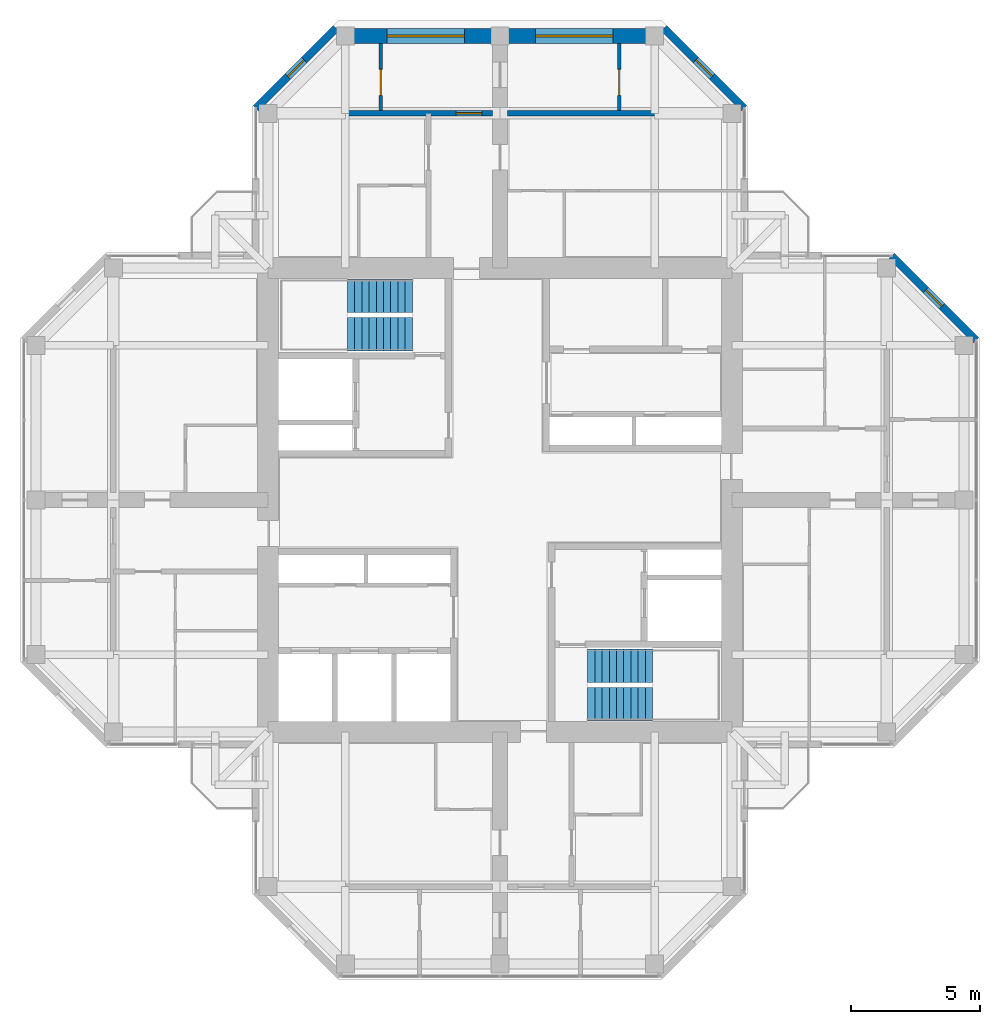
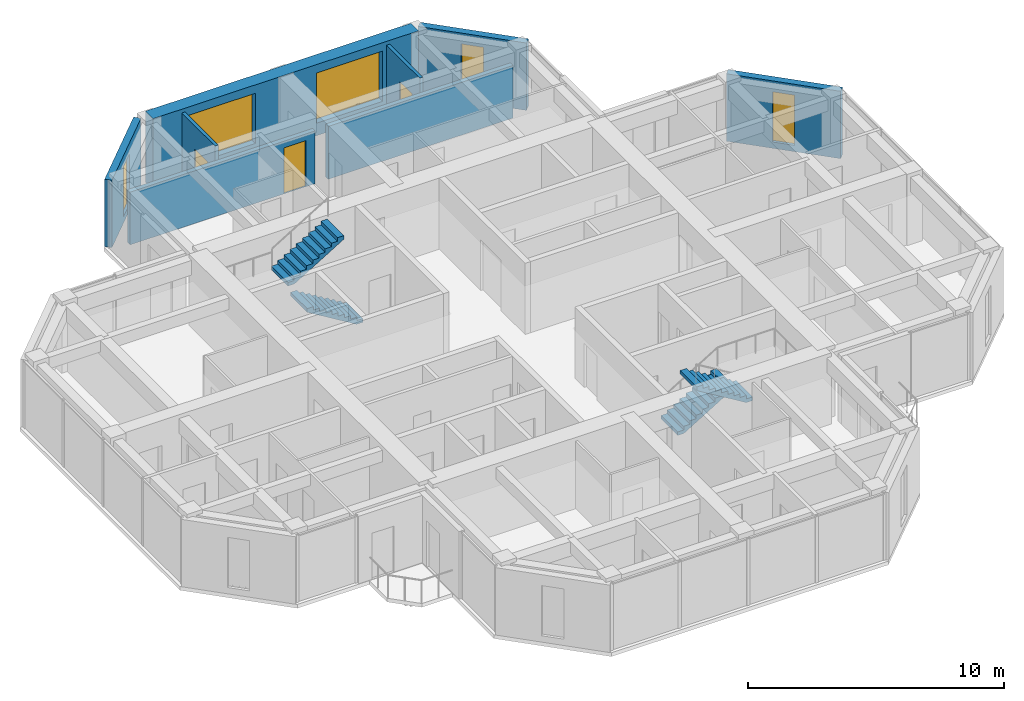
# One storey, part 12 of 13: 8 walls, 5 windows, 4 stair flights, 3 doors, 8 openings, 2 elements without a shape of their own.
"""IFC4 building model written with IfcOpenShell, lengths in metres."""

from ifc_helpers import new_model, si_unit, direction, frame, frame_2d, origin, place, context, subcontext, project, spatial, polyline, rectangle, hollow_rectangle, outline, extrude, material, layer, layer_set, constituent, constituent_set, type_object, element, fill, aggregate, save


model = new_model("IFC4")

# Units and contexts
model_context = context("Model", 3, precision=1e-05, world=origin(), true_north=direction((0.0, 1.0)))
body_context = subcontext(model_context, "Body", "Model", "MODEL_VIEW")
ifc_project = project(units=[si_unit("LENGTHUNIT", "METRE"), si_unit("AREAUNIT", "SQUARE_METRE"), si_unit("VOLUMEUNIT", "CUBIC_METRE"), si_unit("PLANEANGLEUNIT", "RADIAN"), si_unit("MASSUNIT", "GRAM", prefix="KILO")], contexts=[model_context])

# Site, building, storey
site_placement = place(None, origin())
site = spatial("IfcSite", under=ifc_project, at=site_placement, CompositionType="ELEMENT")
building_placement = place(site_placement, origin())
building = spatial("IfcBuilding", under=site, at=building_placement, Name="Torre Cruceta", CompositionType="ELEMENT")
storey_placement = place(building_placement, frame((0.0, 0.0, 278.10009765625)))
storey = spatial("IfcBuildingStorey", under=building, at=storey_placement, Name="L72", CompositionType="ELEMENT", Elevation=278.10009765625)

# Wall, opening, window
ifc_material_1 = material(Name="Concrete G30 (fck 30 MPa)", Category="concrete")
ifc_layer_1 = layer(ifc_material_1, 0.300048828125)
ifc_layer_set_1 = layer_set([ifc_layer_1], Name="Concrete G30 (fck 30 MPa)")
wall_type_1 = type_object("IfcWallType", Name="EXPOSED CONCRETE FACADE WALL 300", PredefinedType="SOLIDWALL", material=ifc_layer_set_1)
wall_1_placement = place(storey_placement, frame((18.469970703125, 6.194580078125, 0.0), z_axis=(0.0, 0.0, 1.0), x_axis=(-0.707106781187, 0.707106781187, 0.0)))
wall_1 = element("IfcWall", 1, at=wall_1_placement, inside=storey, type_object=wall_type_1, Name="EW1 facade wall L72 E chamfer 03", PredefinedType="SOLIDWALL", context=body_context, shape_type="SweptSolid", body=[
    extrude(rectangle(XDim=4.632080078125, YDim=0.300048828125, at=frame_2d((2.31591796875, 0.0))), origin(), (0.0, 0.0, 1.0), 3.219970703125),
])
opening_1_placement = place(wall_1_placement, frame((1.865966796875, 0.0, 0.300048828125)))
opening_1 = element("IfcOpeningElement", 2, at=opening_1_placement, cuts=wall_1, Name="Opening WN5", PredefinedType="OPENING", context=body_context, shape_type="SweptSolid", body=[
    extrude(rectangle(XDim=0.89990234375, YDim=2.39990234375, at=frame_2d((0.449951171875, 1.199951171875))), frame((0.0, 0.159912109375, 0.0), z_axis=(0.0, -1.0, 0.0), x_axis=(1.0, 0.0, 0.0)), (0.0, 0.0, 1.0), 0.320068359375),
])
ifc_material_2 = material(Name="Aluminium window frame", Category="aluminium")
ifc_constituent_1 = constituent(ifc_material_2, Name="Frame")
ifc_material_3 = material(Name="Laminated insulating glass unit, low-iron clear", Category="glass")
ifc_constituent_2 = constituent(ifc_material_3, Name="Glazing")
ifc_constituent_set_1 = constituent_set(constituents=[ifc_constituent_1, ifc_constituent_2], Name="Aluminium window")
window_type_1 = type_object("IfcWindowType", Name="CHAMFER SLOT WINDOW 900X2400", PartitioningType="SINGLE_PANEL", PredefinedType="WINDOW", material=ifc_constituent_set_1)
window_1_placement = place(opening_1_placement, origin())
window_1 = element("IfcWindow", 3, at=window_1_placement, inside=storey, type_object=window_type_1, Name="WN5 L72 E 1", OverallHeight=2.39990234375, OverallWidth=0.89990234375, PartitioningType="SINGLE_PANEL", PredefinedType="WINDOW", context=body_context, shape_type="SweptSolid", body=[
    extrude(hollow_rectangle(XDim=0.89990234375, YDim=2.39990234375, WallThickness=0.06005859375, at=frame_2d((0.449951171875, 1.199951171875))), frame((0.0, 0.030029296875, 0.0), z_axis=(0.0, -1.0, 0.0), x_axis=(1.0, 0.0, 0.0)), (0.0, 0.0, 1.0), 0.06005859375),
    extrude(rectangle(XDim=0.77880859375, YDim=2.27880859375, at=frame_2d((0.449951171875, 1.199951171875))), frame((0.0, 0.030029296875, 0.0), z_axis=(0.0, -1.0, 0.0), x_axis=(1.0, 0.0, 0.0)), (0.0, 0.0, 1.0), 0.06005859375),
])
fill(opening_1, window_1)

wall_2_placement = place(storey_placement, frame((9.469970703125, 15.194580078125, 0.0), z_axis=(0.0, 0.0, 1.0), x_axis=(-0.70707898447, 0.707134576811, 0.0)))
wall_2 = element("IfcWall", 4, at=wall_2_placement, inside=storey, type_object=wall_type_1, Name="EW1 facade wall L72 N chamfer 06", PredefinedType="SOLIDWALL", context=body_context, shape_type="SweptSolid", body=[
    extrude(rectangle(XDim=4.3916015625, YDim=0.300048828125, at=frame_2d((2.19580078125, 0.0))), origin(), (0.0, 0.0, 1.0), 3.219970703125),
])
opening_2_placement = place(wall_2_placement, frame((1.745849609375, 0.0, 0.300048828125)))
opening_2 = element("IfcOpeningElement", 5, at=opening_2_placement, cuts=wall_2, Name="Opening WN5", PredefinedType="OPENING", context=body_context, shape_type="SweptSolid", body=[
    extrude(rectangle(XDim=0.89990234375, YDim=2.39990234375, at=frame_2d((0.449951171875, 1.199951171875))), frame((0.0, 0.159912109375, 0.0), z_axis=(0.0, -1.0, 0.0), x_axis=(1.0, 0.0, 0.0)), (0.0, 0.0, 1.0), 0.320068359375),
])
window_2_placement = place(opening_2_placement, origin())
window_2 = element("IfcWindow", 6, at=window_2_placement, inside=storey, type_object=window_type_1, Name="WN5 L72 N 1", OverallHeight=2.39990234375, OverallWidth=0.89990234375, PartitioningType="SINGLE_PANEL", PredefinedType="WINDOW", context=body_context, shape_type="SweptSolid", body=[
    extrude(hollow_rectangle(XDim=0.89990234375, YDim=2.39990234375, WallThickness=0.06005859375, at=frame_2d((0.449951171875, 1.199951171875))), frame((0.0, 0.030029296875, 0.0), z_axis=(0.0, -1.0, 0.0), x_axis=(1.0, 0.0, 0.0)), (0.0, 0.0, 1.0), 0.06005859375),
    extrude(rectangle(XDim=0.77880859375, YDim=2.27880859375, at=frame_2d((0.449951171875, 1.199951171875))), frame((0.0, 0.030029296875, 0.0), z_axis=(0.0, -1.0, 0.0), x_axis=(1.0, 0.0, 0.0)), (0.0, 0.0, 1.0), 0.06005859375),
])
fill(opening_2, window_2)

wall_3_placement = place(storey_placement, frame((-6.36474609375, 18.300048828125, 0.0), z_axis=(0.0, 0.0, 1.0), x_axis=(-0.70707898447, -0.707134576811, 0.0)))
wall_3 = element("IfcWall", 7, at=wall_3_placement, inside=storey, type_object=wall_type_1, Name="EW1 facade wall L72 N chamfer 08", PredefinedType="SOLIDWALL", context=body_context, shape_type="SweptSolid", body=[
    extrude(rectangle(XDim=4.3916015625, YDim=0.300048828125, at=frame_2d((2.19580078125, 0.0))), origin(), (0.0, 0.0, 1.0), 3.219970703125),
])
opening_3_placement = place(wall_3_placement, frame((1.745849609375, 0.0, 0.300048828125)))
opening_3 = element("IfcOpeningElement", 8, at=opening_3_placement, cuts=wall_3, Name="Opening WN5", PredefinedType="OPENING", context=body_context, shape_type="SweptSolid", body=[
    extrude(rectangle(XDim=0.89990234375, YDim=2.39990234375, at=frame_2d((0.449951171875, 1.199951171875))), frame((0.0, 0.159912109375, 0.0), z_axis=(0.0, -1.0, 0.0), x_axis=(1.0, 0.0, 0.0)), (0.0, 0.0, 1.0), 0.320068359375),
])
window_3_placement = place(opening_3_placement, origin())
window_3 = element("IfcWindow", 9, at=window_3_placement, inside=storey, type_object=window_type_1, Name="WN5 L72 N 1", OverallHeight=2.39990234375, OverallWidth=0.89990234375, PartitioningType="SINGLE_PANEL", PredefinedType="WINDOW", context=body_context, shape_type="SweptSolid", body=[
    extrude(hollow_rectangle(XDim=0.89990234375, YDim=2.39990234375, WallThickness=0.06005859375, at=frame_2d((0.449951171875, 1.199951171875))), frame((0.0, 0.030029296875, 0.0), z_axis=(0.0, -1.0, 0.0), x_axis=(1.0, 0.0, 0.0)), (0.0, 0.0, 1.0), 0.06005859375),
    extrude(rectangle(XDim=0.77880859375, YDim=2.27880859375, at=frame_2d((0.449951171875, 1.199951171875))), frame((0.0, 0.030029296875, 0.0), z_axis=(0.0, -1.0, 0.0), x_axis=(1.0, 0.0, 0.0)), (0.0, 0.0, 1.0), 0.06005859375),
])
fill(opening_3, window_3)

# Wall, openings, windows
ifc_material_4 = material(Name="Concrete G60 (fck 60 MPa)", Category="concrete")
ifc_layer_2 = layer(ifc_material_4, 0.60009765625)
ifc_layer_set_2 = layer_set([ifc_layer_2], Name="Concrete G60 (fck 60 MPa)")
wall_type_2 = type_object("IfcWallType", Name="NOSE WALL 600 G60", PredefinedType="SHEAR", material=ifc_layer_set_2)
wall_4_placement = place(storey_placement, frame((6.0, 18.0, 0.0), z_axis=(0.0, 0.0, 1.0), x_axis=(-1.0, 0.0, 0.0)))
wall_4 = element("IfcWall", 10, at=wall_4_placement, inside=storey, type_object=wall_type_2, Name="NW3 nose wall L72 N", PredefinedType="SHEAR", context=body_context, shape_type="SweptSolid", body=[
    extrude(rectangle(XDim=12.0, YDim=0.60009765625, at=frame_2d((6.0, 0.0))), origin(), (0.0, 0.0, 1.0), 3.39990234375),
])
opening_4_placement = place(wall_4_placement, frame((1.625, 0.0, 0.60009765625)))
opening_4 = element("IfcOpeningElement", 11, at=opening_4_placement, cuts=wall_4, Name="Opening WN6", PredefinedType="OPENING", context=body_context, shape_type="SweptSolid", body=[
    extrude(rectangle(XDim=3.0, YDim=2.39990234375, at=frame_2d((1.5, 1.199951171875))), frame((0.0, 0.31005859375, 0.0), z_axis=(0.0, -1.0, 0.0), x_axis=(1.0, 0.0, 0.0)), (0.0, 0.0, 1.0), 0.6201171875),
])
opening_5_placement = place(wall_4_placement, frame((7.375, 0.0, 0.60009765625)))
opening_5 = element("IfcOpeningElement", 12, at=opening_5_placement, cuts=wall_4, Name="Opening WN6", PredefinedType="OPENING", context=body_context, shape_type="SweptSolid", body=[
    extrude(rectangle(XDim=3.0, YDim=2.39990234375, at=frame_2d((1.5, 1.199951171875))), frame((0.0, 0.31005859375, 0.0), z_axis=(0.0, -1.0, 0.0), x_axis=(1.0, 0.0, 0.0)), (0.0, 0.0, 1.0), 0.6201171875),
])
ifc_material_5 = material(Name="Aluminium window frame", Category="aluminium")
ifc_constituent_3 = constituent(ifc_material_5, Name="Frame")
ifc_material_6 = material(Name="Laminated insulating glass unit, low-iron clear", Category="glass")
ifc_constituent_4 = constituent(ifc_material_6, Name="Glazing")
ifc_constituent_set_2 = constituent_set(constituents=[ifc_constituent_3, ifc_constituent_4], Name="Aluminium window")
window_type_2 = type_object("IfcWindowType", Name="NOSE WALL WINDOW 3000X2400", PartitioningType="SINGLE_PANEL", PredefinedType="WINDOW", material=ifc_constituent_set_2)
window_4_placement = place(opening_4_placement, origin())
window_4 = element("IfcWindow", 13, at=window_4_placement, inside=storey, type_object=window_type_2, Name="WN6 L72 N 1", OverallHeight=2.39990234375, OverallWidth=3.0, PartitioningType="SINGLE_PANEL", PredefinedType="WINDOW", context=body_context, shape_type="SweptSolid", body=[
    extrude(hollow_rectangle(XDim=3.0, YDim=2.39990234375, WallThickness=0.06005859375, at=frame_2d((1.5, 1.199951171875))), frame((0.0, 0.030029296875, 0.0), z_axis=(0.0, -1.0, 0.0), x_axis=(1.0, 0.0, 0.0)), (0.0, 0.0, 1.0), 0.06005859375),
    extrude(rectangle(XDim=2.87890625, YDim=2.27880859375, at=frame_2d((1.5, 1.199951171875))), frame((0.0, 0.030029296875, 0.0), z_axis=(0.0, -1.0, 0.0), x_axis=(1.0, 0.0, 0.0)), (0.0, 0.0, 1.0), 0.06005859375),
])
fill(opening_4, window_4)
window_5_placement = place(opening_5_placement, origin())
window_5 = element("IfcWindow", 14, at=window_5_placement, inside=storey, type_object=window_type_2, Name="WN6 L72 N 2", OverallHeight=2.39990234375, OverallWidth=3.0, PartitioningType="SINGLE_PANEL", PredefinedType="WINDOW", context=body_context, shape_type="SweptSolid", body=[
    extrude(hollow_rectangle(XDim=3.0, YDim=2.39990234375, WallThickness=0.06005859375, at=frame_2d((1.5, 1.199951171875))), frame((0.0, 0.030029296875, 0.0), z_axis=(0.0, -1.0, 0.0), x_axis=(1.0, 0.0, 0.0)), (0.0, 0.0, 1.0), 0.06005859375),
    extrude(rectangle(XDim=2.87890625, YDim=2.27880859375, at=frame_2d((1.5, 1.199951171875))), frame((0.0, 0.030029296875, 0.0), z_axis=(0.0, -1.0, 0.0), x_axis=(1.0, 0.0, 0.0)), (0.0, 0.0, 1.0), 0.06005859375),
])
fill(opening_5, window_5)

# Wall, opening, door
ifc_material_7 = material(Name="Plasterboard on steel studs", Category="steel")
ifc_layer_3 = layer(ifc_material_7, 0.14990234375)
ifc_layer_set_3 = layer_set([ifc_layer_3], Name="Plasterboard on steel studs")
wall_type_3 = type_object("IfcWallType", Name="PARTITION 150", PredefinedType="PARTITIONING", material=ifc_layer_set_3)
wall_5_placement = place(storey_placement, frame((-4.625, 15.10009765625, 0.0), z_axis=(0.0, 0.0, 1.0), x_axis=(0.0, 1.0, 0.0)))
wall_5 = element("IfcWall", 15, at=wall_5_placement, inside=storey, type_object=wall_type_3, Name="PT1 L72-N-ENDX", PredefinedType="PARTITIONING", context=body_context, shape_type="SweptSolid", body=[
    extrude(rectangle(XDim=2.599853515625, YDim=0.14990234375, at=frame_2d((1.2998046875, 0.0))), origin(), (0.0, 0.0, 1.0), 3.219970703125),
])
opening_6_placement = place(wall_5_placement, frame((0.60009765625, 0.0, 0.0)))
opening_6 = element("IfcOpeningElement", 16, at=opening_6_placement, cuts=wall_5, Name="Opening D3", PredefinedType="OPENING", context=body_context, shape_type="SweptSolid", body=[
    extrude(rectangle(XDim=1.0, YDim=2.10009765625, at=frame_2d((0.5, 1.050048828125))), frame((0.0, 0.0849609375, 0.0), z_axis=(0.0, -1.0, 0.0), x_axis=(1.0, 0.0, 0.0)), (0.0, 0.0, 1.0), 0.169921875),
])
ifc_material_8 = material(Name="Steel DX51D", Category="steel")
ifc_constituent_5 = constituent(ifc_material_8, Name="Leaf and frame")
ifc_material_9 = material(Name="Polyester powder coating", Category="paint")
ifc_constituent_6 = constituent(ifc_material_9, Name="Finish")
ifc_constituent_set_3 = constituent_set(constituents=[ifc_constituent_5, ifc_constituent_6], Name="Steel fire door")
door_type_1 = type_object("IfcDoorType", Name="FIRE DOOR 1000X2100", OperationType="SINGLE_SWING_LEFT", PredefinedType="DOOR", material=ifc_constituent_set_3)
door_1_placement = place(opening_6_placement, origin())
door_1 = element("IfcDoor", 17, at=door_1_placement, inside=storey, type_object=door_type_1, Name="D3 L72-N-ENDX-D1", OperationType="SINGLE_SWING_LEFT", OverallHeight=2.10009765625, OverallWidth=1.0, PredefinedType="DOOR", context=body_context, shape_type="SweptSolid", body=[
    extrude(rectangle(XDim=1.0, YDim=2.10009765625, at=frame_2d((0.5, 1.050048828125))), frame((0.0, 0.02490234375, 0.0), z_axis=(0.0, -1.0, 0.0), x_axis=(1.0, 0.0, 0.0)), (0.0, 0.0, 1.0), 0.050048828125),
])
fill(opening_6, door_1)

wall_6_placement = place(storey_placement, frame((4.625, 15.10009765625, 0.0), z_axis=(0.0, 0.0, 1.0), x_axis=(0.0, 1.0, 0.0)))
wall_6 = element("IfcWall", 18, at=wall_6_placement, inside=storey, type_object=wall_type_3, Name="PT1 L72-N-END2X", PredefinedType="PARTITIONING", context=body_context, shape_type="SweptSolid", body=[
    extrude(rectangle(XDim=2.599853515625, YDim=0.14990234375, at=frame_2d((1.2998046875, 0.0))), origin(), (0.0, 0.0, 1.0), 3.219970703125),
])
opening_7_placement = place(wall_6_placement, frame((0.60009765625, 0.0, 0.0)))
opening_7 = element("IfcOpeningElement", 19, at=opening_7_placement, cuts=wall_6, Name="Opening D3", PredefinedType="OPENING", context=body_context, shape_type="SweptSolid", body=[
    extrude(rectangle(XDim=1.0, YDim=2.10009765625, at=frame_2d((0.5, 1.050048828125))), frame((0.0, 0.0849609375, 0.0), z_axis=(0.0, -1.0, 0.0), x_axis=(1.0, 0.0, 0.0)), (0.0, 0.0, 1.0), 0.169921875),
])
door_2_placement = place(opening_7_placement, frame((1.0, 0.0, 0.0), z_axis=(0.0, 0.0, 1.0), x_axis=(-1.0, 0.0, 0.0)))
door_2 = element("IfcDoor", 20, at=door_2_placement, inside=storey, type_object=door_type_1, Name="D3 L72-N-END2X-D1", OperationType="SINGLE_SWING_RIGHT", OverallHeight=2.10009765625, OverallWidth=1.0, PredefinedType="DOOR", context=body_context, shape_type="SweptSolid", body=[
    extrude(rectangle(XDim=1.0, YDim=2.10009765625, at=frame_2d((0.5, 1.050048828125))), frame((0.0, 0.025146484375, 0.0), z_axis=(0.0, -1.0, 0.0), x_axis=(1.0, 0.0, 0.0)), (0.0, 0.0, 1.0), 0.050048828125),
])
fill(opening_7, door_2)

# Wall
ifc_material_10 = material(Name="Concrete G25 (fck 25 MPa)", Category="concrete")
ifc_layer_4 = layer(ifc_material_10, 0.199951171875)
ifc_layer_set_4 = layer_set([ifc_layer_4], Name="Concrete G25 (fck 25 MPa)")
wall_type_4 = type_object("IfcWallType", Name="UNIT SEPARATING WALL 200", PredefinedType="SOLIDWALL", material=ifc_layer_set_4)
wall_7_placement = place(storey_placement, frame((8.64990234375, 15.0, 0.0), z_axis=(0.0, 0.0, 1.0), x_axis=(-1.0, 0.0, 0.0)))
element("IfcWall", 21, at=wall_7_placement, inside=storey, type_object=wall_type_4, Name="PT2 L72-N-ENDa", PredefinedType="SOLIDWALL", context=body_context, shape_type="SweptSolid", body=[
    extrude(rectangle(XDim=8.349853515625, YDim=0.199951171875, at=frame_2d((4.1748046875, 0.0))), origin(), (0.0, 0.0, 1.0), 2.52001953125),
])

# Wall, opening, door
wall_8_placement = place(storey_placement, frame((-0.300048828125, 15.0, 0.0), z_axis=(0.0, 0.0, 1.0), x_axis=(-1.0, 0.0, 0.0)))
wall_8 = element("IfcWall", 22, at=wall_8_placement, inside=storey, type_object=wall_type_4, Name="PT2 L72-N-ENDb", PredefinedType="SOLIDWALL", context=body_context, shape_type="SweptSolid", body=[
    extrude(rectangle(XDim=8.349853515625, YDim=0.199951171875, at=frame_2d((4.1748046875, 0.0))), origin(), (0.0, 0.0, 1.0), 2.52001953125),
])
opening_8_placement = place(wall_8_placement, frame((0.39990234375, 0.0, 0.0)))
opening_8 = element("IfcOpeningElement", 23, at=opening_8_placement, cuts=wall_8, Name="Opening D14", PredefinedType="OPENING", context=body_context, shape_type="SweptSolid", body=[
    extrude(rectangle(XDim=1.0, YDim=2.199951171875, at=frame_2d((0.5, 1.10009765625))), frame((0.0, 0.10986328125, 0.0), z_axis=(0.0, -1.0, 0.0), x_axis=(1.0, 0.0, 0.0)), (0.0, 0.0, 1.0), 0.219970703125),
])
ifc_material_11 = material(Name="Steel DX51D", Category="steel")
ifc_constituent_7 = constituent(ifc_material_11, Name="Leaf and frame")
ifc_material_12 = material(Name="Polyester powder coating", Category="paint")
ifc_constituent_8 = constituent(ifc_material_12, Name="Finish")
ifc_material_13 = material(Name="Fire-resisting glass", Category="glass")
ifc_constituent_9 = constituent(ifc_material_13, Name="Vision panel")
ifc_constituent_set_4 = constituent_set(constituents=[ifc_constituent_7, ifc_constituent_8, ifc_constituent_9], Name="Steel fire door with vision panel")
door_type_2 = type_object("IfcDoorType", Name="FIRE DOOR VISION PANEL 1000X2200", OperationType="SINGLE_SWING_RIGHT", PredefinedType="DOOR", material=ifc_constituent_set_4)
door_3_placement = place(opening_8_placement, frame((1.0, 0.0, 0.0), z_axis=(0.0, 0.0, 1.0), x_axis=(-1.0, 0.0, 0.0)))
door_3 = element("IfcDoor", 24, at=door_3_placement, inside=storey, type_object=door_type_2, Name="D14 L72-N-ENDb-D1", OperationType="SINGLE_SWING_RIGHT", OverallHeight=2.199951171875, OverallWidth=1.0, PredefinedType="DOOR", context=body_context, shape_type="SweptSolid", body=[
    extrude(rectangle(XDim=1.0, YDim=2.199951171875, at=frame_2d((0.5, 1.10009765625))), frame((0.0, 0.025146484375, 0.0), z_axis=(0.0, -1.0, 0.0), x_axis=(1.0, 0.0, 0.0)), (0.0, 0.0, 1.0), 0.050048828125),
])
fill(opening_8, door_3)

# Stair, stair flights
ifc_material_14 = material(Name="Concrete G30 (fck 30 MPa)", Category="concrete")
stair_type = type_object("IfcStairType", Name="STAIR HALF-TURN 1300", PredefinedType="HALF_TURN_STAIR", material=ifc_material_14)
stair_1_placement = place(storey_placement, origin())
stair_1 = element("IfcStair", 25, at=stair_1_placement, inside=storey, type_object=stair_type, Name="Stair ST1 L72", PredefinedType="HALF_TURN_STAIR")
ifc_material_15 = material(Name="Concrete G30 (fck 30 MPa)", Category="concrete")
stair_flight_type = type_object("IfcStairFlightType", Name="STAIR FLIGHT 1300", PredefinedType="STRAIGHT", material=ifc_material_15)
stair_flight_1_placement = place(storey_placement, frame((-3.39990234375, 6.425048828125, 0.0), z_axis=(0.0, 0.0, 1.0), x_axis=(-1.0, 0.0, 0.0)))
stair_flight_1 = element("IfcStairFlight", 26, at=stair_flight_1_placement, type_object=stair_flight_type, Name="ST1 flight 1", NumberOfRisers=10, NumberOfTreads=9, PredefinedType="STRAIGHT", RiserHeight=0.17, TreadLength=0.28, context=body_context, shape_type="SweptSolid", body=[
    extrude(outline(polyline([(0.0, 0.0), (0.0, 0.169921875), (0.280029296875, 0.169921875), (0.280029296875, 0.340087890625), (0.56005859375, 0.340087890625), (0.56005859375, 0.510009765625), (0.840087890625, 0.510009765625), (0.840087890625, 0.679931640625), (1.1201171875, 0.679931640625), (1.1201171875, 0.85009765625), (1.39990234375, 0.85009765625), (1.39990234375, 1.02001953125), (1.679931640625, 1.02001953125), (1.679931640625, 1.18994140625), (1.9599609375, 1.18994140625), (1.9599609375, 1.360107421875), (2.239990234375, 1.360107421875), (2.239990234375, 1.530029296875), (2.52001953125, 1.530029296875), (2.52001953125, 1.699951171875), (2.52001953125, 1.354736328125), (0.288818359375, 0.0), (0.0, 0.0)])), frame((0.0, 0.64990234375, 0.0), z_axis=(0.0, -1.0, 0.0), x_axis=(1.0, 0.0, 0.0)), (0.0, 0.0, 1.0), 1.300048828125),
])
stair_flight_2_placement = place(storey_placement, frame((-5.919921875, 7.925048828125, 1.699951171875), z_axis=(0.0, 0.0, 1.0), x_axis=(1.0, 0.0, 0.0)))
stair_flight_2 = element("IfcStairFlight", 27, at=stair_flight_2_placement, type_object=stair_flight_type, Name="ST1 flight 2", NumberOfRisers=10, NumberOfTreads=9, PredefinedType="STRAIGHT", RiserHeight=0.17, TreadLength=0.28, context=body_context, shape_type="SweptSolid", body=[
    extrude(outline(polyline([(0.0, 0.0), (0.0, 0.169921875), (0.280029296875, 0.169921875), (0.280029296875, 0.340087890625), (0.56005859375, 0.340087890625), (0.56005859375, 0.510009765625), (0.840087890625, 0.510009765625), (0.840087890625, 0.679931640625), (1.1201171875, 0.679931640625), (1.1201171875, 0.85009765625), (1.39990234375, 0.85009765625), (1.39990234375, 1.02001953125), (1.679931640625, 1.02001953125), (1.679931640625, 1.18994140625), (1.9599609375, 1.18994140625), (1.9599609375, 1.360107421875), (2.239990234375, 1.360107421875), (2.239990234375, 1.530029296875), (2.52001953125, 1.530029296875), (2.52001953125, 1.699951171875), (2.52001953125, 1.354736328125), (0.288818359375, 0.0), (0.0, 0.0)])), frame((0.0, 0.64990234375, 0.0), z_axis=(0.0, -1.0, 0.0), x_axis=(1.0, 0.0, 0.0)), (0.0, 0.0, 1.0), 1.300048828125),
])
aggregate(stair_1, [stair_flight_1, stair_flight_2])

stair_2_placement = place(storey_placement, origin())
stair_2 = element("IfcStair", 28, at=stair_2_placement, inside=storey, type_object=stair_type, Name="Stair ST2 L72", PredefinedType="HALF_TURN_STAIR")
stair_flight_3_placement = place(storey_placement, frame((3.39990234375, -6.425048828125, 0.0), z_axis=(0.0, 0.0, 1.0), x_axis=(1.0, 0.0, 0.0)))
stair_flight_3 = element("IfcStairFlight", 29, at=stair_flight_3_placement, type_object=stair_flight_type, Name="ST2 flight 1", NumberOfRisers=10, NumberOfTreads=9, PredefinedType="STRAIGHT", RiserHeight=0.17, TreadLength=0.28, context=body_context, shape_type="SweptSolid", body=[
    extrude(outline(polyline([(0.0, 0.0), (0.0, 0.169921875), (0.280029296875, 0.169921875), (0.280029296875, 0.340087890625), (0.56005859375, 0.340087890625), (0.56005859375, 0.510009765625), (0.840087890625, 0.510009765625), (0.840087890625, 0.679931640625), (1.1201171875, 0.679931640625), (1.1201171875, 0.85009765625), (1.39990234375, 0.85009765625), (1.39990234375, 1.02001953125), (1.679931640625, 1.02001953125), (1.679931640625, 1.18994140625), (1.9599609375, 1.18994140625), (1.9599609375, 1.360107421875), (2.239990234375, 1.360107421875), (2.239990234375, 1.530029296875), (2.52001953125, 1.530029296875), (2.52001953125, 1.699951171875), (2.52001953125, 1.354736328125), (0.288818359375, 0.0), (0.0, 0.0)])), frame((0.0, 0.64990234375, 0.0), z_axis=(0.0, -1.0, 0.0), x_axis=(1.0, 0.0, 0.0)), (0.0, 0.0, 1.0), 1.300048828125),
])
stair_flight_4_placement = place(storey_placement, frame((5.919921875, -7.925048828125, 1.699951171875), z_axis=(0.0, 0.0, 1.0), x_axis=(-1.0, 0.0, 0.0)))
stair_flight_4 = element("IfcStairFlight", 30, at=stair_flight_4_placement, type_object=stair_flight_type, Name="ST2 flight 2", NumberOfRisers=10, NumberOfTreads=9, PredefinedType="STRAIGHT", RiserHeight=0.17, TreadLength=0.28, context=body_context, shape_type="SweptSolid", body=[
    extrude(outline(polyline([(0.0, 0.0), (0.0, 0.169921875), (0.280029296875, 0.169921875), (0.280029296875, 0.340087890625), (0.56005859375, 0.340087890625), (0.56005859375, 0.510009765625), (0.840087890625, 0.510009765625), (0.840087890625, 0.679931640625), (1.1201171875, 0.679931640625), (1.1201171875, 0.85009765625), (1.39990234375, 0.85009765625), (1.39990234375, 1.02001953125), (1.679931640625, 1.02001953125), (1.679931640625, 1.18994140625), (1.9599609375, 1.18994140625), (1.9599609375, 1.360107421875), (2.239990234375, 1.360107421875), (2.239990234375, 1.530029296875), (2.52001953125, 1.530029296875), (2.52001953125, 1.699951171875), (2.52001953125, 1.354736328125), (0.288818359375, 0.0), (0.0, 0.0)])), frame((0.0, 0.64990234375, 0.0), z_axis=(0.0, -1.0, 0.0), x_axis=(1.0, 0.0, 0.0)), (0.0, 0.0, 1.0), 1.300048828125),
])
aggregate(stair_2, [stair_flight_3, stair_flight_4])

save(model, "model.ifc")
